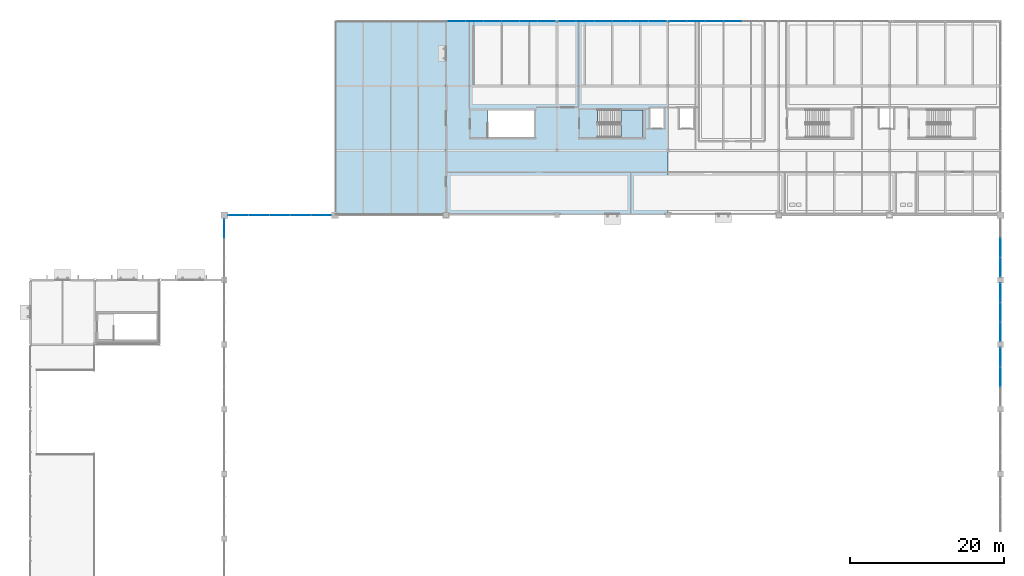
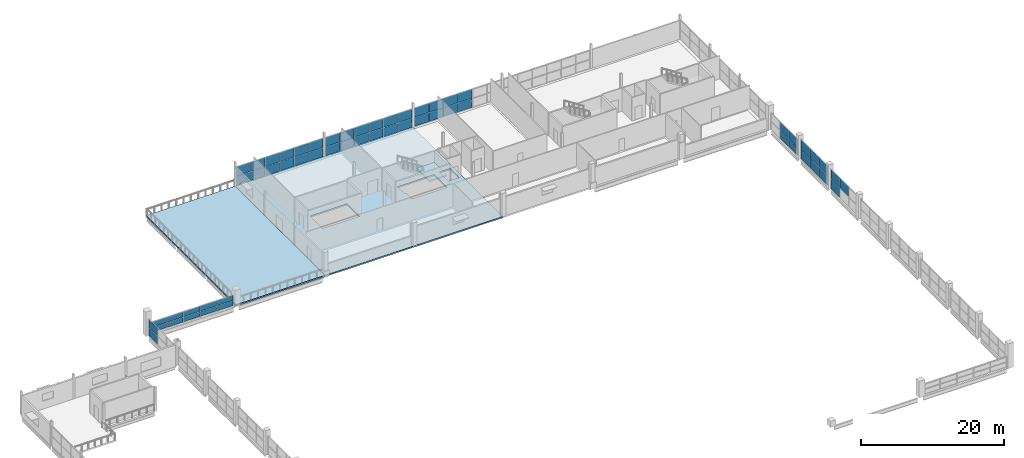
# One storey, part 55 of 68: 57 plates, 3 slabs, 9 elements without a shape of their own.
"""IFC4 building model written with IfcOpenShell, lengths in metres."""

from ifc_helpers import new_model, si_unit, direction, frame, origin, origin_2d, place, context, subcontext, project, spatial, polyline, rectangle, outline, extrude, material, layer, layer_set, type_object, element, aggregate, save


model = new_model("IFC4")

# Units and contexts
model_context = context("Model", 3, precision=1e-05, world=origin(), true_north=direction((0.0, 1.0)))
body_context = subcontext(model_context, "Body", "Model", "MODEL_VIEW")
ifc_project = project(units=[si_unit("LENGTHUNIT", "METRE"), si_unit("AREAUNIT", "SQUARE_METRE"), si_unit("VOLUMEUNIT", "CUBIC_METRE"), si_unit("PLANEANGLEUNIT", "RADIAN"), si_unit("MASSUNIT", "GRAM", prefix="KILO"), si_unit("THERMODYNAMICTEMPERATUREUNIT", "KELVIN")], contexts=[model_context])

# Site, building, storey
site_placement = place(None, origin())
site = spatial("IfcSite", under=ifc_project, at=site_placement, CompositionType="ELEMENT")
building_placement = place(site_placement, origin())
building = spatial("IfcBuilding", under=site, at=building_placement, Name="Nduvali Passage Aquatics Centre", CompositionType="ELEMENT")
storey_placement = place(building_placement, frame((0.0, 0.0, 13.199951171875)))
storey = spatial("IfcBuildingStorey", under=building, at=storey_placement, Name="L03", CompositionType="ELEMENT", Elevation=13.199951171875)

# Curtain wall, plates
ifc_material_1 = material(Name="Aluminium EN AW-6063 T6", Category="aluminium")
curtain_wall_type_1 = type_object("IfcCurtainWallType", Name="ENV-CW-WELL", PredefinedType="NOTDEFINED", material=ifc_material_1)
curtain_wall_1_placement = place(storey_placement, origin())
curtain_wall_1 = element("IfcCurtainWall", 1, at=curtain_wall_1_placement, inside=storey, type_object=curtain_wall_type_1, Name="L03 North Avenue Teaching CW 102", PredefinedType="NOTDEFINED")
ifc_material_2 = material(Name="Laminated solar-control low-E IGU")
ifc_layer_1 = layer(ifc_material_2, 0.028076171875, Name="Laminated solar-control low-E IGU")
ifc_layer_set_1 = layer_set([ifc_layer_1], Name="Laminated solar-control low-E IGU")
plate_type_1 = type_object("IfcPlateType", Name="ENV-PLT-GLZ28", PredefinedType="CURTAIN_PANEL", material=ifc_layer_set_1)
plate_1_placement = place(storey_placement, frame((55.340087890625, 117.60009765625, 0.06005859375), z_axis=(0.0, 0.0, 1.0), x_axis=(1.0, 0.0, 0.0)))
plate_1 = element("IfcPlate", 2, at=plate_1_placement, type_object=plate_type_1, Name="North Avenue Teaching CW Glazed Panel B1-R1", PredefinedType="CURTAIN_PANEL", context=body_context, shape_type="SweptSolid", body=[
    extrude(rectangle(XDim=2.260009765625, YDim=0.028076171875, at=origin_2d()), origin(), (0.0, 0.0, 1.0), 1.52197265625),
])
plate_2_placement = place(storey_placement, frame((55.340087890625, 117.60009765625, 1.641845703125), z_axis=(0.0, 0.0, 1.0), x_axis=(1.0, 0.0, 0.0)))
plate_2 = element("IfcPlate", 3, at=plate_2_placement, type_object=plate_type_1, Name="North Avenue Teaching CW Glazed Panel B1-R2", PredefinedType="CURTAIN_PANEL", context=body_context, shape_type="SweptSolid", body=[
    extrude(rectangle(XDim=2.260009765625, YDim=0.028076171875, at=origin_2d()), origin(), (0.0, 0.0, 1.0), 1.52197265625),
])
plate_3_placement = place(storey_placement, frame((57.675048828125, 117.60009765625, 0.06005859375), z_axis=(0.0, 0.0, 1.0), x_axis=(1.0, 0.0, 0.0)))
plate_3 = element("IfcPlate", 4, at=plate_3_placement, type_object=plate_type_1, Name="North Avenue Teaching CW Glazed Panel B2-R1", PredefinedType="CURTAIN_PANEL", context=body_context, shape_type="SweptSolid", body=[
    extrude(rectangle(XDim=2.2900390625, YDim=0.028076171875, at=origin_2d()), origin(), (0.0, 0.0, 1.0), 1.52197265625),
])
plate_4_placement = place(storey_placement, frame((57.675048828125, 117.60009765625, 1.641845703125), z_axis=(0.0, 0.0, 1.0), x_axis=(1.0, 0.0, 0.0)))
plate_4 = element("IfcPlate", 5, at=plate_4_placement, type_object=plate_type_1, Name="North Avenue Teaching CW Glazed Panel B2-R2", PredefinedType="CURTAIN_PANEL", context=body_context, shape_type="SweptSolid", body=[
    extrude(rectangle(XDim=2.2900390625, YDim=0.028076171875, at=origin_2d()), origin(), (0.0, 0.0, 1.0), 1.52197265625),
])
plate_5_placement = place(storey_placement, frame((60.02490234375, 117.60009765625, 0.06005859375), z_axis=(0.0, 0.0, 1.0), x_axis=(1.0, 0.0, 0.0)))
plate_5 = element("IfcPlate", 6, at=plate_5_placement, type_object=plate_type_1, Name="North Avenue Teaching CW Glazed Panel B3-R1", PredefinedType="CURTAIN_PANEL", context=body_context, shape_type="SweptSolid", body=[
    extrude(rectangle(XDim=2.2900390625, YDim=0.028076171875, at=origin_2d()), origin(), (0.0, 0.0, 1.0), 1.52197265625),
])
plate_6_placement = place(storey_placement, frame((60.02490234375, 117.60009765625, 1.641845703125), z_axis=(0.0, 0.0, 1.0), x_axis=(1.0, 0.0, 0.0)))
plate_6 = element("IfcPlate", 7, at=plate_6_placement, type_object=plate_type_1, Name="North Avenue Teaching CW Glazed Panel B3-R2", PredefinedType="CURTAIN_PANEL", context=body_context, shape_type="SweptSolid", body=[
    extrude(rectangle(XDim=2.2900390625, YDim=0.028076171875, at=origin_2d()), origin(), (0.0, 0.0, 1.0), 1.52197265625),
])
plate_7_placement = place(storey_placement, frame((62.375, 117.60009765625, 0.06005859375), z_axis=(0.0, 0.0, 1.0), x_axis=(1.0, 0.0, 0.0)))
plate_7 = element("IfcPlate", 8, at=plate_7_placement, type_object=plate_type_1, Name="North Avenue Teaching CW Glazed Panel B4-R1", PredefinedType="CURTAIN_PANEL", context=body_context, shape_type="SweptSolid", body=[
    extrude(rectangle(XDim=2.2900390625, YDim=0.028076171875, at=origin_2d()), origin(), (0.0, 0.0, 1.0), 1.52197265625),
])
plate_8_placement = place(storey_placement, frame((62.375, 117.60009765625, 1.641845703125), z_axis=(0.0, 0.0, 1.0), x_axis=(1.0, 0.0, 0.0)))
plate_8 = element("IfcPlate", 9, at=plate_8_placement, type_object=plate_type_1, Name="North Avenue Teaching CW Glazed Panel B4-R2", PredefinedType="CURTAIN_PANEL", context=body_context, shape_type="SweptSolid", body=[
    extrude(rectangle(XDim=2.2900390625, YDim=0.028076171875, at=origin_2d()), origin(), (0.0, 0.0, 1.0), 1.52197265625),
])
plate_9_placement = place(storey_placement, frame((64.72509765625, 117.60009765625, 0.06005859375), z_axis=(0.0, 0.0, 1.0), x_axis=(1.0, 0.0, 0.0)))
plate_9 = element("IfcPlate", 10, at=plate_9_placement, type_object=plate_type_1, Name="North Avenue Teaching CW Glazed Panel B5-R1", PredefinedType="CURTAIN_PANEL", context=body_context, shape_type="SweptSolid", body=[
    extrude(rectangle(XDim=2.2900390625, YDim=0.028076171875, at=origin_2d()), origin(), (0.0, 0.0, 1.0), 1.52197265625),
])
plate_10_placement = place(storey_placement, frame((64.72509765625, 117.60009765625, 1.641845703125), z_axis=(0.0, 0.0, 1.0), x_axis=(1.0, 0.0, 0.0)))
plate_10 = element("IfcPlate", 11, at=plate_10_placement, type_object=plate_type_1, Name="North Avenue Teaching CW Glazed Panel B5-R2", PredefinedType="CURTAIN_PANEL", context=body_context, shape_type="SweptSolid", body=[
    extrude(rectangle(XDim=2.2900390625, YDim=0.028076171875, at=origin_2d()), origin(), (0.0, 0.0, 1.0), 1.52197265625),
])
plate_11_placement = place(storey_placement, frame((67.06005859375, 117.60009765625, 0.06005859375), z_axis=(0.0, 0.0, 1.0), x_axis=(1.0, 0.0, 0.0)))
plate_11 = element("IfcPlate", 12, at=plate_11_placement, type_object=plate_type_1, Name="North Avenue Teaching CW Glazed Panel B6-R1", PredefinedType="CURTAIN_PANEL", context=body_context, shape_type="SweptSolid", body=[
    extrude(rectangle(XDim=2.260009765625, YDim=0.028076171875, at=origin_2d()), origin(), (0.0, 0.0, 1.0), 1.52197265625),
])
plate_12_placement = place(storey_placement, frame((67.06005859375, 117.60009765625, 1.641845703125), z_axis=(0.0, 0.0, 1.0), x_axis=(1.0, 0.0, 0.0)))
plate_12 = element("IfcPlate", 13, at=plate_12_placement, type_object=plate_type_1, Name="North Avenue Teaching CW Glazed Panel B6-R2", PredefinedType="CURTAIN_PANEL", context=body_context, shape_type="SweptSolid", body=[
    extrude(rectangle(XDim=2.260009765625, YDim=0.028076171875, at=origin_2d()), origin(), (0.0, 0.0, 1.0), 1.52197265625),
])
aggregate(curtain_wall_1, [plate_1, plate_2, plate_3, plate_4, plate_5, plate_6, plate_7, plate_8, plate_9, plate_10, plate_11, plate_12])

curtain_wall_2_placement = place(storey_placement, origin())
curtain_wall_2 = element("IfcCurtainWall", 14, at=curtain_wall_2_placement, inside=storey, type_object=curtain_wall_type_1, Name="L03 North Avenue Teaching CW 105", PredefinedType="NOTDEFINED")
plate_13_placement = place(storey_placement, frame((69.739990234375, 117.60009765625, 0.06005859375), z_axis=(0.0, 0.0, 1.0), x_axis=(1.0, 0.0, 0.0)))
plate_13 = element("IfcPlate", 15, at=plate_13_placement, type_object=plate_type_1, Name="North Avenue Teaching CW Glazed Panel B1-R1", PredefinedType="CURTAIN_PANEL", context=body_context, shape_type="SweptSolid", body=[
    extrude(rectangle(XDim=2.260009765625, YDim=0.028076171875, at=origin_2d()), origin(), (0.0, 0.0, 1.0), 1.511962890625),
])
plate_14_placement = place(storey_placement, frame((69.739990234375, 117.60009765625, 1.6318359375), z_axis=(0.0, 0.0, 1.0), x_axis=(1.0, 0.0, 0.0)))
plate_14 = element("IfcPlate", 16, at=plate_14_placement, type_object=plate_type_1, Name="North Avenue Teaching CW Glazed Panel B1-R2", PredefinedType="CURTAIN_PANEL", context=body_context, shape_type="SweptSolid", body=[
    extrude(rectangle(XDim=2.260009765625, YDim=0.028076171875, at=origin_2d()), origin(), (0.0, 0.0, 1.0), 1.511962890625),
])
plate_15_placement = place(storey_placement, frame((72.074951171875, 117.60009765625, 0.06005859375), z_axis=(0.0, 0.0, 1.0), x_axis=(1.0, 0.0, 0.0)))
plate_15 = element("IfcPlate", 17, at=plate_15_placement, type_object=plate_type_1, Name="North Avenue Teaching CW Glazed Panel B2-R1", PredefinedType="CURTAIN_PANEL", context=body_context, shape_type="SweptSolid", body=[
    extrude(rectangle(XDim=2.2900390625, YDim=0.028076171875, at=origin_2d()), origin(), (0.0, 0.0, 1.0), 1.511962890625),
])
plate_16_placement = place(storey_placement, frame((72.074951171875, 117.60009765625, 1.6318359375), z_axis=(0.0, 0.0, 1.0), x_axis=(1.0, 0.0, 0.0)))
plate_16 = element("IfcPlate", 18, at=plate_16_placement, type_object=plate_type_1, Name="North Avenue Teaching CW Glazed Panel B2-R2", PredefinedType="CURTAIN_PANEL", context=body_context, shape_type="SweptSolid", body=[
    extrude(rectangle(XDim=2.2900390625, YDim=0.028076171875, at=origin_2d()), origin(), (0.0, 0.0, 1.0), 1.511962890625),
])
plate_17_placement = place(storey_placement, frame((74.425048828125, 117.60009765625, 0.06005859375), z_axis=(0.0, 0.0, 1.0), x_axis=(1.0, 0.0, 0.0)))
plate_17 = element("IfcPlate", 19, at=plate_17_placement, type_object=plate_type_1, Name="North Avenue Teaching CW Glazed Panel B3-R1", PredefinedType="CURTAIN_PANEL", context=body_context, shape_type="SweptSolid", body=[
    extrude(rectangle(XDim=2.2900390625, YDim=0.028076171875, at=origin_2d()), origin(), (0.0, 0.0, 1.0), 1.511962890625),
])
plate_18_placement = place(storey_placement, frame((74.425048828125, 117.60009765625, 1.6318359375), z_axis=(0.0, 0.0, 1.0), x_axis=(1.0, 0.0, 0.0)))
plate_18 = element("IfcPlate", 20, at=plate_18_placement, type_object=plate_type_1, Name="North Avenue Teaching CW Glazed Panel B3-R2", PredefinedType="CURTAIN_PANEL", context=body_context, shape_type="SweptSolid", body=[
    extrude(rectangle(XDim=2.2900390625, YDim=0.028076171875, at=origin_2d()), origin(), (0.0, 0.0, 1.0), 1.511962890625),
])
plate_19_placement = place(storey_placement, frame((76.77490234375, 117.60009765625, 0.06005859375), z_axis=(0.0, 0.0, 1.0), x_axis=(1.0, 0.0, 0.0)))
plate_19 = element("IfcPlate", 21, at=plate_19_placement, type_object=plate_type_1, Name="North Avenue Teaching CW Glazed Panel B4-R1", PredefinedType="CURTAIN_PANEL", context=body_context, shape_type="SweptSolid", body=[
    extrude(rectangle(XDim=2.2900390625, YDim=0.028076171875, at=origin_2d()), origin(), (0.0, 0.0, 1.0), 1.511962890625),
])
plate_20_placement = place(storey_placement, frame((76.77490234375, 117.60009765625, 1.6318359375), z_axis=(0.0, 0.0, 1.0), x_axis=(1.0, 0.0, 0.0)))
plate_20 = element("IfcPlate", 22, at=plate_20_placement, type_object=plate_type_1, Name="North Avenue Teaching CW Glazed Panel B4-R2", PredefinedType="CURTAIN_PANEL", context=body_context, shape_type="SweptSolid", body=[
    extrude(rectangle(XDim=2.2900390625, YDim=0.028076171875, at=origin_2d()), origin(), (0.0, 0.0, 1.0), 1.511962890625),
])
plate_21_placement = place(storey_placement, frame((79.125, 117.60009765625, 0.06005859375), z_axis=(0.0, 0.0, 1.0), x_axis=(1.0, 0.0, 0.0)))
plate_21 = element("IfcPlate", 23, at=plate_21_placement, type_object=plate_type_1, Name="North Avenue Teaching CW Glazed Panel B5-R1", PredefinedType="CURTAIN_PANEL", context=body_context, shape_type="SweptSolid", body=[
    extrude(rectangle(XDim=2.2900390625, YDim=0.028076171875, at=origin_2d()), origin(), (0.0, 0.0, 1.0), 1.511962890625),
])
plate_22_placement = place(storey_placement, frame((79.125, 117.60009765625, 1.6318359375), z_axis=(0.0, 0.0, 1.0), x_axis=(1.0, 0.0, 0.0)))
plate_22 = element("IfcPlate", 24, at=plate_22_placement, type_object=plate_type_1, Name="North Avenue Teaching CW Glazed Panel B5-R2", PredefinedType="CURTAIN_PANEL", context=body_context, shape_type="SweptSolid", body=[
    extrude(rectangle(XDim=2.2900390625, YDim=0.028076171875, at=origin_2d()), origin(), (0.0, 0.0, 1.0), 1.511962890625),
])
plate_23_placement = place(storey_placement, frame((81.4599609375, 117.60009765625, 0.06005859375), z_axis=(0.0, 0.0, 1.0), x_axis=(1.0, 0.0, 0.0)))
plate_23 = element("IfcPlate", 25, at=plate_23_placement, type_object=plate_type_1, Name="North Avenue Teaching CW Glazed Panel B6-R1", PredefinedType="CURTAIN_PANEL", context=body_context, shape_type="SweptSolid", body=[
    extrude(rectangle(XDim=2.260009765625, YDim=0.028076171875, at=origin_2d()), origin(), (0.0, 0.0, 1.0), 1.511962890625),
])
plate_24_placement = place(storey_placement, frame((81.4599609375, 117.60009765625, 1.6318359375), z_axis=(0.0, 0.0, 1.0), x_axis=(1.0, 0.0, 0.0)))
plate_24 = element("IfcPlate", 26, at=plate_24_placement, type_object=plate_type_1, Name="North Avenue Teaching CW Glazed Panel B6-R2", PredefinedType="CURTAIN_PANEL", context=body_context, shape_type="SweptSolid", body=[
    extrude(rectangle(XDim=2.260009765625, YDim=0.028076171875, at=origin_2d()), origin(), (0.0, 0.0, 1.0), 1.511962890625),
])
aggregate(curtain_wall_2, [plate_13, plate_14, plate_15, plate_16, plate_17, plate_18, plate_19, plate_20, plate_21, plate_22, plate_23, plate_24])

curtain_wall_3_placement = place(storey_placement, origin())
curtain_wall_3 = element("IfcCurtainWall", 27, at=curtain_wall_3_placement, inside=storey, type_object=curtain_wall_type_1, Name="L03 North Avenue Teaching CW 110", PredefinedType="NOTDEFINED")
plate_25_placement = place(storey_placement, frame((84.139892578125, 117.60009765625, 0.06005859375), z_axis=(0.0, 0.0, 1.0), x_axis=(1.0, 0.0, 0.0)))
plate_25 = element("IfcPlate", 28, at=plate_25_placement, type_object=plate_type_1, Name="North Avenue Teaching CW Glazed Panel B1-R1", PredefinedType="CURTAIN_PANEL", context=body_context, shape_type="SweptSolid", body=[
    extrude(rectangle(XDim=2.260009765625, YDim=0.028076171875, at=origin_2d()), origin(), (0.0, 0.0, 1.0), 1.511962890625),
])
plate_26_placement = place(storey_placement, frame((84.139892578125, 117.60009765625, 1.6318359375), z_axis=(0.0, 0.0, 1.0), x_axis=(1.0, 0.0, 0.0)))
plate_26 = element("IfcPlate", 29, at=plate_26_placement, type_object=plate_type_1, Name="North Avenue Teaching CW Glazed Panel B1-R2", PredefinedType="CURTAIN_PANEL", context=body_context, shape_type="SweptSolid", body=[
    extrude(rectangle(XDim=2.260009765625, YDim=0.028076171875, at=origin_2d()), origin(), (0.0, 0.0, 1.0), 1.511962890625),
])
plate_27_placement = place(storey_placement, frame((86.47509765625, 117.60009765625, 0.06005859375), z_axis=(0.0, 0.0, 1.0), x_axis=(1.0, 0.0, 0.0)))
plate_27 = element("IfcPlate", 30, at=plate_27_placement, type_object=plate_type_1, Name="North Avenue Teaching CW Glazed Panel B2-R1", PredefinedType="CURTAIN_PANEL", context=body_context, shape_type="SweptSolid", body=[
    extrude(rectangle(XDim=2.2900390625, YDim=0.028076171875, at=origin_2d()), origin(), (0.0, 0.0, 1.0), 1.511962890625),
])
plate_28_placement = place(storey_placement, frame((86.47509765625, 117.60009765625, 1.6318359375), z_axis=(0.0, 0.0, 1.0), x_axis=(1.0, 0.0, 0.0)))
plate_28 = element("IfcPlate", 31, at=plate_28_placement, type_object=plate_type_1, Name="North Avenue Teaching CW Glazed Panel B2-R2", PredefinedType="CURTAIN_PANEL", context=body_context, shape_type="SweptSolid", body=[
    extrude(rectangle(XDim=2.2900390625, YDim=0.028076171875, at=origin_2d()), origin(), (0.0, 0.0, 1.0), 1.511962890625),
])
plate_29_placement = place(storey_placement, frame((88.824951171875, 117.60009765625, 0.06005859375), z_axis=(0.0, 0.0, 1.0), x_axis=(1.0, 0.0, 0.0)))
plate_29 = element("IfcPlate", 32, at=plate_29_placement, type_object=plate_type_1, Name="North Avenue Teaching CW Glazed Panel B3-R1", PredefinedType="CURTAIN_PANEL", context=body_context, shape_type="SweptSolid", body=[
    extrude(rectangle(XDim=2.2900390625, YDim=0.028076171875, at=origin_2d()), origin(), (0.0, 0.0, 1.0), 1.511962890625),
])
plate_30_placement = place(storey_placement, frame((88.824951171875, 117.60009765625, 1.6318359375), z_axis=(0.0, 0.0, 1.0), x_axis=(1.0, 0.0, 0.0)))
plate_30 = element("IfcPlate", 33, at=plate_30_placement, type_object=plate_type_1, Name="North Avenue Teaching CW Glazed Panel B3-R2", PredefinedType="CURTAIN_PANEL", context=body_context, shape_type="SweptSolid", body=[
    extrude(rectangle(XDim=2.2900390625, YDim=0.028076171875, at=origin_2d()), origin(), (0.0, 0.0, 1.0), 1.511962890625),
])
plate_31_placement = place(storey_placement, frame((91.175048828125, 117.60009765625, 0.06005859375), z_axis=(0.0, 0.0, 1.0), x_axis=(1.0, 0.0, 0.0)))
plate_31 = element("IfcPlate", 34, at=plate_31_placement, type_object=plate_type_1, Name="North Avenue Teaching CW Glazed Panel B4-R1", PredefinedType="CURTAIN_PANEL", context=body_context, shape_type="SweptSolid", body=[
    extrude(rectangle(XDim=2.2900390625, YDim=0.028076171875, at=origin_2d()), origin(), (0.0, 0.0, 1.0), 1.511962890625),
])
plate_32_placement = place(storey_placement, frame((91.175048828125, 117.60009765625, 1.6318359375), z_axis=(0.0, 0.0, 1.0), x_axis=(1.0, 0.0, 0.0)))
plate_32 = element("IfcPlate", 35, at=plate_32_placement, type_object=plate_type_1, Name="North Avenue Teaching CW Glazed Panel B4-R2", PredefinedType="CURTAIN_PANEL", context=body_context, shape_type="SweptSolid", body=[
    extrude(rectangle(XDim=2.2900390625, YDim=0.028076171875, at=origin_2d()), origin(), (0.0, 0.0, 1.0), 1.511962890625),
])
aggregate(curtain_wall_3, [plate_25, plate_26, plate_27, plate_28, plate_29, plate_30, plate_31, plate_32])

curtain_wall_type_2 = type_object("IfcCurtainWallType", Name="ENV-CW-CLER", PredefinedType="NOTDEFINED", material=ifc_material_1)
curtain_wall_4_placement = place(storey_placement, origin())
curtain_wall_4 = element("IfcCurtainWall", 36, at=curtain_wall_4_placement, inside=storey, type_object=curtain_wall_type_2, Name="L03 West Pool Hall High Arch Clerestory 014", PredefinedType="NOTDEFINED")
ifc_layer_2 = layer(ifc_material_2, 0.031982421875, Name="Laminated solar-control low-E IGU")
ifc_layer_set_2 = layer_set([ifc_layer_2], Name="Laminated solar-control low-E IGU")
plate_type_2 = type_object("IfcPlateType", Name="ENV-PLT-GLZ32", PredefinedType="CURTAIN_PANEL", material=ifc_layer_set_2)
plate_33_placement = place(storey_placement, frame((25.199951171875, 90.672607421875, 0.06005859375), z_axis=(0.0, 0.0, 1.0), x_axis=(0.0, 1.0, 0.0)))
plate_33 = element("IfcPlate", 37, at=plate_33_placement, type_object=plate_type_2, Name="West Pool Hall High Arch Clerestory Glazed Panel B3-R1", PredefinedType="CURTAIN_PANEL", context=body_context, shape_type="SweptSolid", body=[
    extrude(rectangle(XDim=2.43505859375, YDim=0.031982421875, at=origin_2d()), origin(), (0.0, 0.0, 1.0), 1.360107421875),
])
plate_34_placement = place(storey_placement, frame((25.199951171875, 90.672607421875, 1.47998046875), z_axis=(0.0, 0.0, 1.0), x_axis=(0.0, 1.0, 0.0)))
plate_34 = element("IfcPlate", 38, at=plate_34_placement, type_object=plate_type_2, Name="West Pool Hall High Arch Clerestory Glazed Panel B3-R2", PredefinedType="CURTAIN_PANEL", context=body_context, shape_type="SweptSolid", body=[
    extrude(rectangle(XDim=2.43505859375, YDim=0.031982421875, at=origin_2d()), origin(), (0.0, 0.0, 1.0), 1.360107421875),
])
aggregate(curtain_wall_4, [plate_33, plate_34])

curtain_wall_5_placement = place(storey_placement, origin())
curtain_wall_5 = element("IfcCurtainWall", 39, at=curtain_wall_5_placement, inside=storey, type_object=curtain_wall_type_2, Name="L03 East Passage Pool Hall High Arch Clerestory 036", PredefinedType="NOTDEFINED")
plate_35_placement = place(storey_placement, frame((126.0, 71.39990234375, 1.7431640625), z_axis=(0.0, 0.0, 1.0), x_axis=(0.0, 1.0, 0.0)))
plate_35 = element("IfcPlate", 40, at=plate_35_placement, type_object=plate_type_2, Name="East Passage Pool Hall High Arch Clerestory Glazed Panel B2-R2", PredefinedType="CURTAIN_PANEL", context=body_context, shape_type="SweptSolid", body=[
    extrude(rectangle(XDim=2.489990234375, YDim=0.031982421875, at=origin_2d()), origin(), (0.0, 0.0, 1.0), 1.623291015625),
])
plate_36_placement = place(storey_placement, frame((126.0, 73.93505859375, 0.06005859375), z_axis=(0.0, 0.0, 1.0), x_axis=(0.0, 1.0, 0.0)))
plate_36 = element("IfcPlate", 41, at=plate_36_placement, type_object=plate_type_2, Name="East Passage Pool Hall High Arch Clerestory Glazed Panel B3-R1", PredefinedType="CURTAIN_PANEL", context=body_context, shape_type="SweptSolid", body=[
    extrude(rectangle(XDim=2.4599609375, YDim=0.031982421875, at=origin_2d()), origin(), (0.0, 0.0, 1.0), 1.623291015625),
])
plate_37_placement = place(storey_placement, frame((126.0, 73.93505859375, 1.7431640625), z_axis=(0.0, 0.0, 1.0), x_axis=(0.0, 1.0, 0.0)))
plate_37 = element("IfcPlate", 42, at=plate_37_placement, type_object=plate_type_2, Name="East Passage Pool Hall High Arch Clerestory Glazed Panel B3-R2", PredefinedType="CURTAIN_PANEL", context=body_context, shape_type="SweptSolid", body=[
    extrude(rectangle(XDim=2.4599609375, YDim=0.031982421875, at=origin_2d()), origin(), (0.0, 0.0, 1.0), 1.623291015625),
])
aggregate(curtain_wall_5, [plate_35, plate_36, plate_37])

curtain_wall_6_placement = place(storey_placement, origin())
curtain_wall_6 = element("IfcCurtainWall", 43, at=curtain_wall_6_placement, inside=storey, type_object=curtain_wall_type_2, Name="L03 East Passage Pool Hall High Arch Clerestory 040", PredefinedType="NOTDEFINED")
plate_38_placement = place(storey_placement, frame((126.0, 77.264892578125, 0.06005859375), z_axis=(0.0, 0.0, 1.0), x_axis=(0.0, 1.0, 0.0)))
plate_38 = element("IfcPlate", 44, at=plate_38_placement, type_object=plate_type_2, Name="East Passage Pool Hall High Arch Clerestory Glazed Panel B1-R1", PredefinedType="CURTAIN_PANEL", context=body_context, shape_type="SweptSolid", body=[
    extrude(rectangle(XDim=2.4599609375, YDim=0.031982421875, at=origin_2d()), origin(), (0.0, 0.0, 1.0), 1.623291015625),
])
plate_39_placement = place(storey_placement, frame((126.0, 77.264892578125, 1.7431640625), z_axis=(0.0, 0.0, 1.0), x_axis=(0.0, 1.0, 0.0)))
plate_39 = element("IfcPlate", 45, at=plate_39_placement, type_object=plate_type_2, Name="East Passage Pool Hall High Arch Clerestory Glazed Panel B1-R2", PredefinedType="CURTAIN_PANEL", context=body_context, shape_type="SweptSolid", body=[
    extrude(rectangle(XDim=2.4599609375, YDim=0.031982421875, at=origin_2d()), origin(), (0.0, 0.0, 1.0), 1.623291015625),
])
plate_40_placement = place(storey_placement, frame((126.0, 79.800048828125, 0.06005859375), z_axis=(0.0, 0.0, 1.0), x_axis=(0.0, 1.0, 0.0)))
plate_40 = element("IfcPlate", 46, at=plate_40_placement, type_object=plate_type_2, Name="East Passage Pool Hall High Arch Clerestory Glazed Panel B2-R1", PredefinedType="CURTAIN_PANEL", context=body_context, shape_type="SweptSolid", body=[
    extrude(rectangle(XDim=2.489990234375, YDim=0.031982421875, at=origin_2d()), origin(), (0.0, 0.0, 1.0), 1.623291015625),
])
plate_41_placement = place(storey_placement, frame((126.0, 79.800048828125, 1.7431640625), z_axis=(0.0, 0.0, 1.0), x_axis=(0.0, 1.0, 0.0)))
plate_41 = element("IfcPlate", 47, at=plate_41_placement, type_object=plate_type_2, Name="East Passage Pool Hall High Arch Clerestory Glazed Panel B2-R2", PredefinedType="CURTAIN_PANEL", context=body_context, shape_type="SweptSolid", body=[
    extrude(rectangle(XDim=2.489990234375, YDim=0.031982421875, at=origin_2d()), origin(), (0.0, 0.0, 1.0), 1.623291015625),
])
plate_42_placement = place(storey_placement, frame((126.0, 82.3349609375, 0.06005859375), z_axis=(0.0, 0.0, 1.0), x_axis=(0.0, 1.0, 0.0)))
plate_42 = element("IfcPlate", 48, at=plate_42_placement, type_object=plate_type_2, Name="East Passage Pool Hall High Arch Clerestory Glazed Panel B3-R1", PredefinedType="CURTAIN_PANEL", context=body_context, shape_type="SweptSolid", body=[
    extrude(rectangle(XDim=2.4599609375, YDim=0.031982421875, at=origin_2d()), origin(), (0.0, 0.0, 1.0), 1.623291015625),
])
plate_43_placement = place(storey_placement, frame((126.0, 82.3349609375, 1.7431640625), z_axis=(0.0, 0.0, 1.0), x_axis=(0.0, 1.0, 0.0)))
plate_43 = element("IfcPlate", 49, at=plate_43_placement, type_object=plate_type_2, Name="East Passage Pool Hall High Arch Clerestory Glazed Panel B3-R2", PredefinedType="CURTAIN_PANEL", context=body_context, shape_type="SweptSolid", body=[
    extrude(rectangle(XDim=2.4599609375, YDim=0.031982421875, at=origin_2d()), origin(), (0.0, 0.0, 1.0), 1.623291015625),
])
aggregate(curtain_wall_6, [plate_38, plate_39, plate_40, plate_41, plate_42, plate_43])

curtain_wall_7_placement = place(storey_placement, origin())
curtain_wall_7 = element("IfcCurtainWall", 50, at=curtain_wall_7_placement, inside=storey, type_object=curtain_wall_type_2, Name="L03 East Passage Pool Hall High Arch Clerestory 043", PredefinedType="NOTDEFINED")
plate_44_placement = place(storey_placement, frame((126.0, 85.652587890625, 0.06005859375), z_axis=(0.0, 0.0, 1.0), x_axis=(0.0, 1.0, 0.0)))
plate_44 = element("IfcPlate", 51, at=plate_44_placement, type_object=plate_type_2, Name="East Passage Pool Hall High Arch Clerestory Glazed Panel B1-R1", PredefinedType="CURTAIN_PANEL", context=body_context, shape_type="SweptSolid", body=[
    extrude(rectangle(XDim=2.43505859375, YDim=0.031982421875, at=origin_2d()), origin(), (0.0, 0.0, 1.0), 1.360107421875),
])
plate_45_placement = place(storey_placement, frame((126.0, 85.652587890625, 1.47998046875), z_axis=(0.0, 0.0, 1.0), x_axis=(0.0, 1.0, 0.0)))
plate_45 = element("IfcPlate", 52, at=plate_45_placement, type_object=plate_type_2, Name="East Passage Pool Hall High Arch Clerestory Glazed Panel B1-R2", PredefinedType="CURTAIN_PANEL", context=body_context, shape_type="SweptSolid", body=[
    extrude(rectangle(XDim=2.43505859375, YDim=0.031982421875, at=origin_2d()), origin(), (0.0, 0.0, 1.0), 1.360107421875),
])
plate_46_placement = place(storey_placement, frame((126.0, 88.16259765625, 0.06005859375), z_axis=(0.0, 0.0, 1.0), x_axis=(0.0, 1.0, 0.0)))
plate_46 = element("IfcPlate", 53, at=plate_46_placement, type_object=plate_type_2, Name="East Passage Pool Hall High Arch Clerestory Glazed Panel B2-R1", PredefinedType="CURTAIN_PANEL", context=body_context, shape_type="SweptSolid", body=[
    extrude(rectangle(XDim=2.465087890625, YDim=0.031982421875, at=origin_2d()), origin(), (0.0, 0.0, 1.0), 1.360107421875),
])
plate_47_placement = place(storey_placement, frame((126.0, 88.16259765625, 1.47998046875), z_axis=(0.0, 0.0, 1.0), x_axis=(0.0, 1.0, 0.0)))
plate_47 = element("IfcPlate", 54, at=plate_47_placement, type_object=plate_type_2, Name="East Passage Pool Hall High Arch Clerestory Glazed Panel B2-R2", PredefinedType="CURTAIN_PANEL", context=body_context, shape_type="SweptSolid", body=[
    extrude(rectangle(XDim=2.465087890625, YDim=0.031982421875, at=origin_2d()), origin(), (0.0, 0.0, 1.0), 1.360107421875),
])
aggregate(curtain_wall_7, [plate_44, plate_45, plate_46, plate_47])

curtain_wall_8_placement = place(storey_placement, origin())
curtain_wall_8 = element("IfcCurtainWall", 55, at=curtain_wall_8_placement, inside=storey, type_object=curtain_wall_type_2, Name="L03 North Pool Hall High Eave Clerestory 056", PredefinedType="NOTDEFINED")
plate_48_placement = place(storey_placement, frame((27.014892578125, 92.39990234375, 0.06005859375), z_axis=(0.0, 0.0, 1.0), x_axis=(1.0, 0.0, 0.0)))
plate_48 = element("IfcPlate", 56, at=plate_48_placement, type_object=plate_type_2, Name="North Pool Hall High Eave Clerestory Glazed Panel B1-R1", PredefinedType="CURTAIN_PANEL", context=body_context, shape_type="SweptSolid", body=[
    extrude(rectangle(XDim=2.610107421875, YDim=0.031982421875, at=origin_2d()), origin(), (0.0, 0.0, 1.0), 0.820556640625),
])
plate_49_placement = place(storey_placement, frame((27.014892578125, 92.39990234375, 0.9404296875), z_axis=(0.0, 0.0, 1.0), x_axis=(1.0, 0.0, 0.0)))
plate_49 = element("IfcPlate", 57, at=plate_49_placement, type_object=plate_type_2, Name="North Pool Hall High Eave Clerestory Glazed Panel B1-R2", PredefinedType="CURTAIN_PANEL", context=body_context, shape_type="SweptSolid", body=[
    extrude(rectangle(XDim=2.610107421875, YDim=0.031982421875, at=origin_2d()), origin(), (0.0, 0.0, 1.0), 0.820556640625),
])
plate_50_placement = place(storey_placement, frame((29.699951171875, 92.39990234375, 0.06005859375), z_axis=(0.0, 0.0, 1.0), x_axis=(1.0, 0.0, 0.0)))
plate_50 = element("IfcPlate", 58, at=plate_50_placement, type_object=plate_type_2, Name="North Pool Hall High Eave Clerestory Glazed Panel B2-R1", PredefinedType="CURTAIN_PANEL", context=body_context, shape_type="SweptSolid", body=[
    extrude(rectangle(XDim=2.639892578125, YDim=0.031982421875, at=origin_2d()), origin(), (0.0, 0.0, 1.0), 0.820556640625),
])
plate_51_placement = place(storey_placement, frame((29.699951171875, 92.39990234375, 0.9404296875), z_axis=(0.0, 0.0, 1.0), x_axis=(1.0, 0.0, 0.0)))
plate_51 = element("IfcPlate", 59, at=plate_51_placement, type_object=plate_type_2, Name="North Pool Hall High Eave Clerestory Glazed Panel B2-R2", PredefinedType="CURTAIN_PANEL", context=body_context, shape_type="SweptSolid", body=[
    extrude(rectangle(XDim=2.639892578125, YDim=0.031982421875, at=origin_2d()), origin(), (0.0, 0.0, 1.0), 0.820556640625),
])
plate_52_placement = place(storey_placement, frame((32.39990234375, 92.39990234375, 0.06005859375), z_axis=(0.0, 0.0, 1.0), x_axis=(1.0, 0.0, 0.0)))
plate_52 = element("IfcPlate", 60, at=plate_52_placement, type_object=plate_type_2, Name="North Pool Hall High Eave Clerestory Glazed Panel B3-R1", PredefinedType="CURTAIN_PANEL", context=body_context, shape_type="SweptSolid", body=[
    extrude(rectangle(XDim=2.639892578125, YDim=0.031982421875, at=origin_2d()), origin(), (0.0, 0.0, 1.0), 0.820556640625),
])
plate_53_placement = place(storey_placement, frame((32.39990234375, 92.39990234375, 0.9404296875), z_axis=(0.0, 0.0, 1.0), x_axis=(1.0, 0.0, 0.0)))
plate_53 = element("IfcPlate", 61, at=plate_53_placement, type_object=plate_type_2, Name="North Pool Hall High Eave Clerestory Glazed Panel B3-R2", PredefinedType="CURTAIN_PANEL", context=body_context, shape_type="SweptSolid", body=[
    extrude(rectangle(XDim=2.639892578125, YDim=0.031982421875, at=origin_2d()), origin(), (0.0, 0.0, 1.0), 0.820556640625),
])
plate_54_placement = place(storey_placement, frame((35.10009765625, 92.39990234375, 0.06005859375), z_axis=(0.0, 0.0, 1.0), x_axis=(1.0, 0.0, 0.0)))
plate_54 = element("IfcPlate", 62, at=plate_54_placement, type_object=plate_type_2, Name="North Pool Hall High Eave Clerestory Glazed Panel B4-R1", PredefinedType="CURTAIN_PANEL", context=body_context, shape_type="SweptSolid", body=[
    extrude(rectangle(XDim=2.639892578125, YDim=0.031982421875, at=origin_2d()), origin(), (0.0, 0.0, 1.0), 0.820556640625),
])
plate_55_placement = place(storey_placement, frame((35.10009765625, 92.39990234375, 0.9404296875), z_axis=(0.0, 0.0, 1.0), x_axis=(1.0, 0.0, 0.0)))
plate_55 = element("IfcPlate", 63, at=plate_55_placement, type_object=plate_type_2, Name="North Pool Hall High Eave Clerestory Glazed Panel B4-R2", PredefinedType="CURTAIN_PANEL", context=body_context, shape_type="SweptSolid", body=[
    extrude(rectangle(XDim=2.639892578125, YDim=0.031982421875, at=origin_2d()), origin(), (0.0, 0.0, 1.0), 0.820556640625),
])
plate_56_placement = place(storey_placement, frame((37.784912109375, 92.39990234375, 0.06005859375), z_axis=(0.0, 0.0, 1.0), x_axis=(1.0, 0.0, 0.0)))
plate_56 = element("IfcPlate", 64, at=plate_56_placement, type_object=plate_type_2, Name="North Pool Hall High Eave Clerestory Glazed Panel B5-R1", PredefinedType="CURTAIN_PANEL", context=body_context, shape_type="SweptSolid", body=[
    extrude(rectangle(XDim=2.610107421875, YDim=0.031982421875, at=origin_2d()), origin(), (0.0, 0.0, 1.0), 0.820556640625),
])
plate_57_placement = place(storey_placement, frame((37.784912109375, 92.39990234375, 0.9404296875), z_axis=(0.0, 0.0, 1.0), x_axis=(1.0, 0.0, 0.0)))
plate_57 = element("IfcPlate", 65, at=plate_57_placement, type_object=plate_type_2, Name="North Pool Hall High Eave Clerestory Glazed Panel B5-R2", PredefinedType="CURTAIN_PANEL", context=body_context, shape_type="SweptSolid", body=[
    extrude(rectangle(XDim=2.610107421875, YDim=0.031982421875, at=origin_2d()), origin(), (0.0, 0.0, 1.0), 0.820556640625),
])
aggregate(curtain_wall_8, [plate_48, plate_49, plate_50, plate_51, plate_52, plate_53, plate_54, plate_55, plate_56, plate_57])

# Stair, slab
ifc_material_3 = material(Name="Concrete C40/50", Category="concrete")
stair_type = type_object("IfcStairType", Name="INT-STR-CORE172", PredefinedType="HALF_TURN_STAIR", material=ifc_material_3)
stair_placement = place(storey_placement, origin())
stair = element("IfcStair", 66, at=stair_placement, inside=storey, type_object=stair_type, Name="L03 ST1", PredefinedType="HALF_TURN_STAIR")
ifc_layer_3 = layer(ifc_material_3, 0.219970703125, Name="Concrete C40/50")
ifc_layer_set_3 = layer_set([ifc_layer_3], Name="Concrete C40/50")
slab_type_1 = type_object("IfcSlabType", Name="INT-SLB-LAND170", PredefinedType="LANDING", material=ifc_layer_set_3)
slab_1_placement = place(storey_placement, frame((0.0, 0.0, 1.880126953125)))
slab_1 = element("IfcSlab", 67, at=slab_1_placement, type_object=slab_type_1, Name="ST1 landing 1", PredefinedType="LANDING", context=body_context, shape_type="SweptSolid", body=[
    extrude(outline(polyline([(76.72998046875, 102.5), (79.60009765625, 102.5), (79.60009765625, 106.090087890625), (76.72998046875, 106.090087890625), (76.72998046875, 102.5)])), origin(), (0.0, 0.0, 1.0), 0.219970703125),
])
aggregate(stair, [slab_1])

# Slabs
ifc_layer_4 = layer(ifc_material_3, 0.25, Name="Concrete C40/50")
ifc_layer_set_4 = layer_set([ifc_layer_4], Name="Concrete C40/50")
slab_type_2 = type_object("IfcSlabType", Name="STR-SLB-FLR250", PredefinedType="FLOOR", material=ifc_layer_set_4)
slab_2_placement = place(storey_placement, frame((0.0, 0.0, -0.25)))
element("IfcSlab", 68, at=slab_2_placement, inside=storey, type_object=slab_type_2, Name="L03 Community Teaching and Administration Floor Slab 1", PredefinedType="FLOOR", context=body_context, shape_type="SweptSolid", body=[
    extrude(outline(polyline([(54.0, 92.39990234375), (82.800048828125, 92.39990234375), (82.800048828125, 117.60009765625), (54.0, 117.60009765625), (54.0, 92.39990234375)]), holes=[polyline([(73.929931640625, 102.5), (79.60009765625, 102.5), (79.60009765625, 106.090087890625), (73.64990234375, 106.090087890625), (73.64990234375, 104.219970703125), (73.929931640625, 104.219970703125), (73.929931640625, 102.5)]), polyline([(59.449951171875, 102.5), (65.39990234375, 102.5), (65.39990234375, 106.010009765625), (59.449951171875, 106.010009765625), (59.449951171875, 102.5)]), polyline([(80.52001953125, 103.719970703125), (82.280029296875, 103.719970703125), (82.280029296875, 106.280029296875), (80.52001953125, 106.280029296875), (80.52001953125, 103.719970703125)])]), origin(), (0.0, 0.0, 1.0), 0.25),
])
ifc_material_4 = material(Name="Waterproof concrete C40/50", Category="concrete")
ifc_layer_5 = layer(ifc_material_4, 0.239990234375, Name="Waterproof concrete C40/50")
ifc_layer_set_5 = layer_set([ifc_layer_5], Name="Waterproof concrete C40/50")
slab_type_3 = type_object("IfcSlabType", Name="STR-SLB-TER240", PredefinedType="FLOOR", material=ifc_layer_set_5)
slab_3_placement = place(storey_placement, frame((0.0, 0.0, -0.239990234375)))
element("IfcSlab", 69, at=slab_3_placement, inside=storey, type_object=slab_type_3, Name="L03 Stepped Wellness Outdoor Roof Terrace Slab", PredefinedType="FLOOR", context=body_context, shape_type="SweptSolid", body=[
    extrude(outline(polyline([(39.60009765625, 92.39990234375), (54.0, 92.39990234375), (54.0, 117.60009765625), (39.60009765625, 117.60009765625), (39.60009765625, 92.39990234375)])), origin(), (0.0, 0.0, 1.0), 0.239990234375),
])

save(model, "model.ifc")
